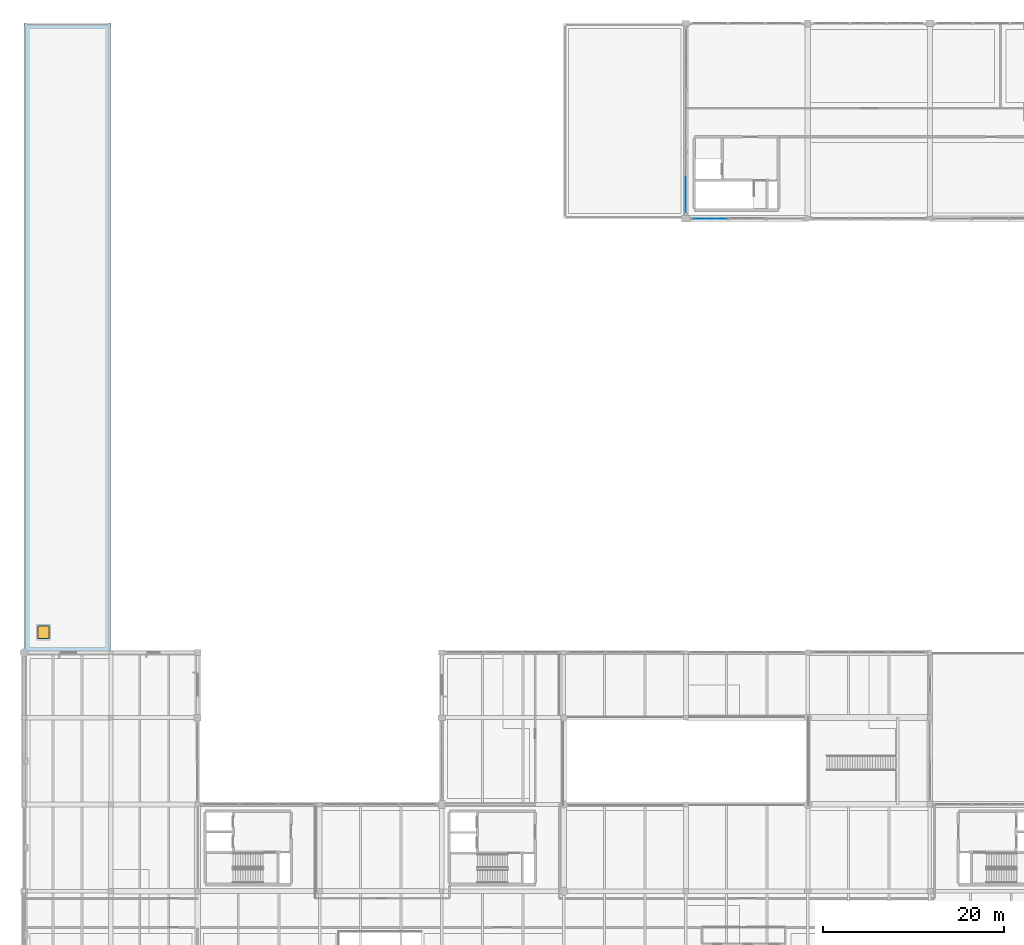
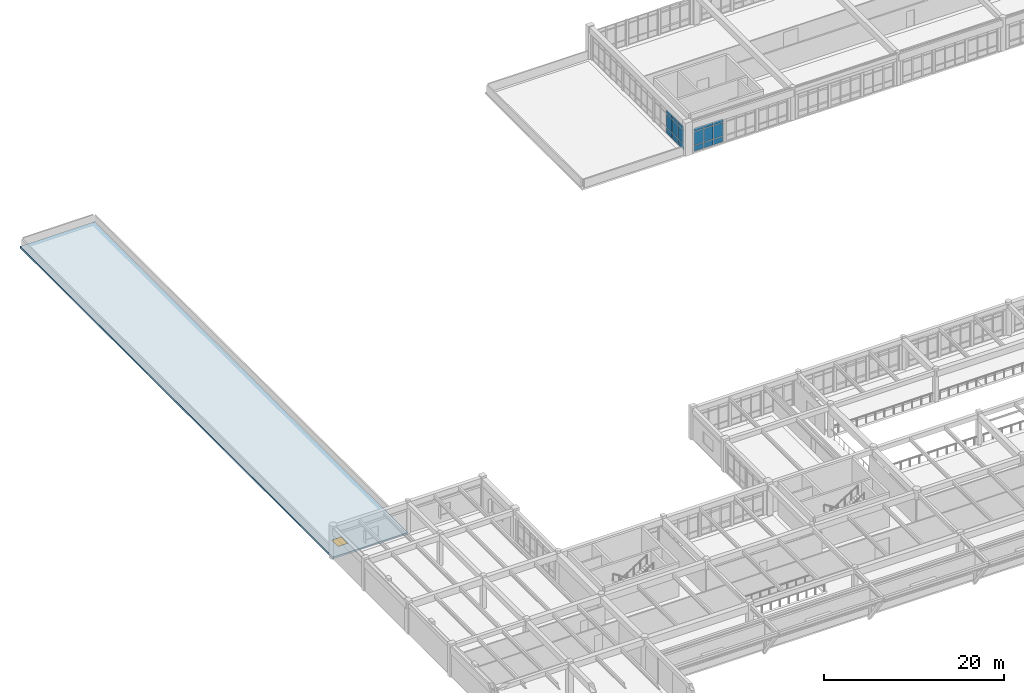
# One storey, part 75 of 109: 18 plates, 1 slab, 1 window, 1 opening, 2 elements without a shape of their own.
"""IFC4 building model written with IfcOpenShell, lengths in metres."""

from ifc_helpers import new_model, si_unit, direction, frame, origin, origin_2d, place, context, subcontext, project, spatial, polyline, rectangle, outline, extrude, material, layer, layer_set, type_object, element, fill, aggregate, save


model = new_model("IFC4")

# Units and contexts
model_context = context("Model", 3, precision=1e-05, world=origin(), true_north=direction((0.0, 1.0)))
body_context = subcontext(model_context, "Body", "Model", "MODEL_VIEW")
ifc_project = project(units=[si_unit("LENGTHUNIT", "METRE"), si_unit("AREAUNIT", "SQUARE_METRE"), si_unit("VOLUMEUNIT", "CUBIC_METRE"), si_unit("PLANEANGLEUNIT", "RADIAN"), si_unit("MASSUNIT", "GRAM", prefix="KILO")], contexts=[model_context])

# Site, building, storey
site_placement = place(None, origin())
site = spatial("IfcSite", under=ifc_project, at=site_placement, CompositionType="ELEMENT")
building_placement = place(site_placement, origin())
building = spatial("IfcBuilding", under=site, at=building_placement, Name="Fikremerkos Civic Library", CompositionType="ELEMENT")
storey_placement = place(building_placement, frame((0.0, 0.0, 5.39990234375)))
storey = spatial("IfcBuildingStorey", under=building, at=storey_placement, Name="L01", CompositionType="ELEMENT", Elevation=5.39990234375)

# Curtain wall, plates
ifc_material_1 = material(Name="Anodized aluminium Frame", Category="aluminium")
ifc_layer_1 = layer(ifc_material_1, 0.159912109375, Name="Anodized aluminium Frame")
ifc_layer_set_1 = layer_set([ifc_layer_1], Name="Anodized aluminium Frame")
curtain_wall_type_1 = type_object("IfcCurtainWallType", Name="Unitised curtain wall CW-01 3600x3600", PredefinedType="USERDEFINED", material=ifc_layer_set_1)
curtain_wall_1_placement = place(storey_placement, origin())
curtain_wall_1 = element("IfcCurtainWall", 1, at=curtain_wall_1_placement, inside=storey, type_object=curtain_wall_type_1, Name="Unitised curtain wall CW-01 L01 #127", ObjectType="UNITISED CURTAIN WALL", PredefinedType="USERDEFINED")
ifc_material_2 = material(Name="Solar control double glazing", Category="glass")
ifc_layer_2 = layer(ifc_material_2, 0.028076171875, Name="Solar control double glazing")
ifc_layer_set_2 = layer_set([ifc_layer_2], Name="Solar control double glazing")
plate_type_1 = type_object("IfcPlateType", Name="Curtain glazing panel CWP-01 28", PredefinedType="CURTAIN_PANEL", material=ifc_layer_set_2)
plate_1_placement = place(storey_placement, frame((77.163330078125, 96.0, 0.070068359375), z_axis=(0.0, 0.0, 1.0), x_axis=(-1.0, 0.0, 0.0)))
plate_1 = element("IfcPlate", 2, at=plate_1_placement, type_object=plate_type_1, Name="CW-01 panel 1.1", PredefinedType="CURTAIN_PANEL", context=body_context, shape_type="SweptSolid", body=[
    extrude(rectangle(XDim=1.175048828125, YDim=0.028076171875, at=origin_2d()), origin(), (0.0, 0.0, 1.0), 0.7451171875),
])
plate_2_placement = place(storey_placement, frame((77.163330078125, 96.0, 0.88525390625), z_axis=(0.0, 0.0, 1.0), x_axis=(-1.0, 0.0, 0.0)))
plate_2 = element("IfcPlate", 3, at=plate_2_placement, type_object=plate_type_1, Name="CW-01 panel 1.2", PredefinedType="CURTAIN_PANEL", context=body_context, shape_type="SweptSolid", body=[
    extrude(rectangle(XDim=1.175048828125, YDim=0.028076171875, at=origin_2d()), origin(), (0.0, 0.0, 1.0), 1.800048828125),
])
plate_3_placement = place(storey_placement, frame((77.163330078125, 96.0, 2.7548828125), z_axis=(0.0, 0.0, 1.0), x_axis=(-1.0, 0.0, 0.0)))
plate_3 = element("IfcPlate", 4, at=plate_3_placement, type_object=plate_type_1, Name="CW-01 panel 1.3", PredefinedType="CURTAIN_PANEL", context=body_context, shape_type="SweptSolid", body=[
    extrude(rectangle(XDim=1.175048828125, YDim=0.028076171875, at=origin_2d()), origin(), (0.0, 0.0, 1.0), 0.445068359375),
])
plate_4_placement = place(storey_placement, frame((75.906982421875, 96.0, 0.070068359375), z_axis=(0.0, 0.0, 1.0), x_axis=(-1.0, 0.0, 0.0)))
plate_4 = element("IfcPlate", 5, at=plate_4_placement, type_object=plate_type_1, Name="CW-01 panel 2.1", PredefinedType="CURTAIN_PANEL", context=body_context, shape_type="SweptSolid", body=[
    extrude(rectangle(XDim=1.207763671875, YDim=0.028076171875, at=origin_2d()), origin(), (0.0, 0.0, 1.0), 0.7451171875),
])
plate_5_placement = place(storey_placement, frame((75.906982421875, 96.0, 0.88525390625), z_axis=(0.0, 0.0, 1.0), x_axis=(-1.0, 0.0, 0.0)))
plate_5 = element("IfcPlate", 6, at=plate_5_placement, type_object=plate_type_1, Name="CW-01 panel 2.2", PredefinedType="CURTAIN_PANEL", context=body_context, shape_type="SweptSolid", body=[
    extrude(rectangle(XDim=1.207763671875, YDim=0.028076171875, at=origin_2d()), origin(), (0.0, 0.0, 1.0), 1.800048828125),
])
plate_6_placement = place(storey_placement, frame((75.906982421875, 96.0, 2.7548828125), z_axis=(0.0, 0.0, 1.0), x_axis=(-1.0, 0.0, 0.0)))
plate_6 = element("IfcPlate", 7, at=plate_6_placement, type_object=plate_type_1, Name="CW-01 panel 2.3", PredefinedType="CURTAIN_PANEL", context=body_context, shape_type="SweptSolid", body=[
    extrude(rectangle(XDim=1.207763671875, YDim=0.028076171875, at=origin_2d()), origin(), (0.0, 0.0, 1.0), 0.445068359375),
])
plate_7_placement = place(storey_placement, frame((74.650634765625, 96.0, 0.070068359375), z_axis=(0.0, 0.0, 1.0), x_axis=(-1.0, 0.0, 0.0)))
plate_7 = element("IfcPlate", 8, at=plate_7_placement, type_object=plate_type_1, Name="CW-01 panel 3.1", PredefinedType="CURTAIN_PANEL", context=body_context, shape_type="SweptSolid", body=[
    extrude(rectangle(XDim=1.175048828125, YDim=0.028076171875, at=origin_2d()), origin(), (0.0, 0.0, 1.0), 0.7451171875),
])
plate_8_placement = place(storey_placement, frame((74.650634765625, 96.0, 0.88525390625), z_axis=(0.0, 0.0, 1.0), x_axis=(-1.0, 0.0, 0.0)))
plate_8 = element("IfcPlate", 9, at=plate_8_placement, type_object=plate_type_1, Name="CW-01 panel 3.2", PredefinedType="CURTAIN_PANEL", context=body_context, shape_type="SweptSolid", body=[
    extrude(rectangle(XDim=1.175048828125, YDim=0.028076171875, at=origin_2d()), origin(), (0.0, 0.0, 1.0), 1.800048828125),
])
plate_9_placement = place(storey_placement, frame((74.650634765625, 96.0, 2.7548828125), z_axis=(0.0, 0.0, 1.0), x_axis=(-1.0, 0.0, 0.0)))
plate_9 = element("IfcPlate", 10, at=plate_9_placement, type_object=plate_type_1, Name="CW-01 panel 3.3", PredefinedType="CURTAIN_PANEL", context=body_context, shape_type="SweptSolid", body=[
    extrude(rectangle(XDim=1.175048828125, YDim=0.028076171875, at=origin_2d()), origin(), (0.0, 0.0, 1.0), 0.445068359375),
])
aggregate(curtain_wall_1, [plate_1, plate_2, plate_3, plate_4, plate_5, plate_6, plate_7, plate_8, plate_9])

ifc_layer_3 = layer(ifc_material_1, 0.159912109375, Name="Anodized aluminium Frame")
ifc_layer_set_3 = layer_set([ifc_layer_3], Name="Anodized aluminium Frame")
curtain_wall_type_2 = type_object("IfcCurtainWallType", Name="Unitised curtain wall CW-02 3900x3600", PredefinedType="USERDEFINED", material=ifc_layer_set_3)
curtain_wall_2_placement = place(storey_placement, origin())
curtain_wall_2 = element("IfcCurtainWall", 11, at=curtain_wall_2_placement, inside=storey, type_object=curtain_wall_type_2, Name="Unitised curtain wall CW-02 L01 #128", ObjectType="UNITISED CURTAIN WALL", PredefinedType="USERDEFINED")
ifc_layer_4 = layer(ifc_material_2, 0.035888671875, Name="Solar control double glazing")
ifc_layer_set_4 = layer_set([ifc_layer_4], Name="Solar control double glazing")
plate_type_2 = type_object("IfcPlateType", Name="Curtain glazing panel CWP-02 36", PredefinedType="CURTAIN_PANEL", material=ifc_layer_set_4)
plate_10_placement = place(storey_placement, frame((73.199951171875, 97.3681640625, 0.070068359375), z_axis=(0.0, 0.0, 1.0), x_axis=(0.0, 1.0, 0.0)))
plate_10 = element("IfcPlate", 12, at=plate_10_placement, type_object=plate_type_2, Name="CW-02 panel 1.1", PredefinedType="CURTAIN_PANEL", context=body_context, shape_type="SweptSolid", body=[
    extrude(rectangle(XDim=1.22021484375, YDim=0.035888671875, at=origin_2d()), origin(), (0.0, 0.0, 1.0), 0.7451171875),
])
plate_11_placement = place(storey_placement, frame((73.199951171875, 97.3681640625, 0.88525390625), z_axis=(0.0, 0.0, 1.0), x_axis=(0.0, 1.0, 0.0)))
plate_11 = element("IfcPlate", 13, at=plate_11_placement, type_object=plate_type_2, Name="CW-02 panel 1.2", PredefinedType="CURTAIN_PANEL", context=body_context, shape_type="SweptSolid", body=[
    extrude(rectangle(XDim=1.22021484375, YDim=0.035888671875, at=origin_2d()), origin(), (0.0, 0.0, 1.0), 1.800048828125),
])
plate_12_placement = place(storey_placement, frame((73.199951171875, 97.3681640625, 2.7548828125), z_axis=(0.0, 0.0, 1.0), x_axis=(0.0, 1.0, 0.0)))
plate_12 = element("IfcPlate", 14, at=plate_12_placement, type_object=plate_type_2, Name="CW-02 panel 1.3", PredefinedType="CURTAIN_PANEL", context=body_context, shape_type="SweptSolid", body=[
    extrude(rectangle(XDim=1.22021484375, YDim=0.035888671875, at=origin_2d()), origin(), (0.0, 0.0, 1.0), 0.445068359375),
])
plate_13_placement = place(storey_placement, frame((73.199951171875, 98.663330078125, 0.070068359375), z_axis=(0.0, 0.0, 1.0), x_axis=(0.0, 1.0, 0.0)))
plate_13 = element("IfcPlate", 15, at=plate_13_placement, type_object=plate_type_2, Name="CW-02 panel 2.1", PredefinedType="CURTAIN_PANEL", context=body_context, shape_type="SweptSolid", body=[
    extrude(rectangle(XDim=1.250244140625, YDim=0.035888671875, at=origin_2d()), origin(), (0.0, 0.0, 1.0), 0.7451171875),
])
plate_14_placement = place(storey_placement, frame((73.199951171875, 98.663330078125, 0.88525390625), z_axis=(0.0, 0.0, 1.0), x_axis=(0.0, 1.0, 0.0)))
plate_14 = element("IfcPlate", 16, at=plate_14_placement, type_object=plate_type_2, Name="CW-02 panel 2.2", PredefinedType="CURTAIN_PANEL", context=body_context, shape_type="SweptSolid", body=[
    extrude(rectangle(XDim=1.250244140625, YDim=0.035888671875, at=origin_2d()), origin(), (0.0, 0.0, 1.0), 1.800048828125),
])
plate_15_placement = place(storey_placement, frame((73.199951171875, 98.663330078125, 2.7548828125), z_axis=(0.0, 0.0, 1.0), x_axis=(0.0, 1.0, 0.0)))
plate_15 = element("IfcPlate", 17, at=plate_15_placement, type_object=plate_type_2, Name="CW-02 panel 2.3", PredefinedType="CURTAIN_PANEL", context=body_context, shape_type="SweptSolid", body=[
    extrude(rectangle(XDim=1.250244140625, YDim=0.035888671875, at=origin_2d()), origin(), (0.0, 0.0, 1.0), 0.445068359375),
])
plate_16_placement = place(storey_placement, frame((73.199951171875, 99.9736328125, 0.070068359375), z_axis=(0.0, 0.0, 1.0), x_axis=(0.0, 1.0, 0.0)))
plate_16 = element("IfcPlate", 18, at=plate_16_placement, type_object=plate_type_2, Name="CW-02 panel 3.1", PredefinedType="CURTAIN_PANEL", context=body_context, shape_type="SweptSolid", body=[
    extrude(rectangle(XDim=1.250244140625, YDim=0.035888671875, at=origin_2d()), origin(), (0.0, 0.0, 1.0), 0.7451171875),
])
plate_17_placement = place(storey_placement, frame((73.199951171875, 99.9736328125, 0.88525390625), z_axis=(0.0, 0.0, 1.0), x_axis=(0.0, 1.0, 0.0)))
plate_17 = element("IfcPlate", 19, at=plate_17_placement, type_object=plate_type_2, Name="CW-02 panel 3.2", PredefinedType="CURTAIN_PANEL", context=body_context, shape_type="SweptSolid", body=[
    extrude(rectangle(XDim=1.250244140625, YDim=0.035888671875, at=origin_2d()), origin(), (0.0, 0.0, 1.0), 1.800048828125),
])
plate_18_placement = place(storey_placement, frame((73.199951171875, 99.9736328125, 2.7548828125), z_axis=(0.0, 0.0, 1.0), x_axis=(0.0, 1.0, 0.0)))
plate_18 = element("IfcPlate", 20, at=plate_18_placement, type_object=plate_type_2, Name="CW-02 panel 3.3", PredefinedType="CURTAIN_PANEL", context=body_context, shape_type="SweptSolid", body=[
    extrude(rectangle(XDim=1.250244140625, YDim=0.035888671875, at=origin_2d()), origin(), (0.0, 0.0, 1.0), 0.445068359375),
])
aggregate(curtain_wall_2, [plate_10, plate_11, plate_12, plate_13, plate_14, plate_15, plate_16, plate_17, plate_18])

# Slab, opening, window
ifc_material_3 = material(Name="Concrete C40/50", Category="concrete")
ifc_layer_5 = layer(ifc_material_3, 0.239990234375, Name="Concrete C40/50")
ifc_layer_set_5 = layer_set([ifc_layer_5], Name="Concrete C40/50")
slab_type = type_object("IfcSlabType", Name="Wing roof slab WRS-03 240", PredefinedType="ROOF", material=ifc_layer_set_5)
slab_placement = place(storey_placement, frame((0.0, 0.0, -0.239990234375)))
slab = element("IfcSlab", 21, at=slab_placement, inside=storey, type_object=slab_type, Name="Wing roof slab WRS-03 RF-L01-V5N", PredefinedType="ROOF", context=body_context, shape_type="SweptSolid", body=[
    extrude(outline(polyline([(0.0, 48.0), (9.60009765625, 48.0), (9.60009765625, 117.60009765625), (0.0, 117.60009765625), (0.0, 48.0)])), origin(), (0.0, 0.0, 1.0), 0.239990234375),
])
opening_placement = place(slab_placement, frame((2.14990234375, 50.25, 0.0)))
opening = element("IfcOpeningElement", 22, at=opening_placement, cuts=slab, Name="Opening SKY-04", PredefinedType="OPENING", context=body_context, shape_type="SweptSolid", body=[
    extrude(rectangle(XDim=1.199951171875, YDim=1.39990234375, at=origin_2d()), frame((0.0, 0.0, -0.010009765625), z_axis=(0.0, 0.0, 1.0), x_axis=(1.0, 0.0, 0.0)), (0.0, 0.0, 1.0), 0.260009765625),
])
ifc_material_4 = material(Name="Laminated solar control skylight glazing", Category="glass")
window_type = type_object("IfcWindowType", Name="Roof skylight SKY-04 1200x1400", PartitioningType="SINGLE_PANEL", PredefinedType="SKYLIGHT", material=ifc_material_4)
window_placement = place(opening_placement, frame((0.0, 0.0, 0.175048828125)))
window = element("IfcWindow", 23, at=window_placement, inside=storey, type_object=window_type, Name="Maintenance roof access skylight hatch SKY-04 RF-L01-V5N", OverallHeight=1.39990234375, OverallWidth=1.199951171875, PartitioningType="SINGLE_PANEL", PredefinedType="SKYLIGHT", context=body_context, shape_type="SweptSolid", body=[
    extrude(rectangle(XDim=1.199951171875, YDim=1.39990234375, at=origin_2d()), origin(), (0.0, 0.0, 1.0), 0.06494140625),
])
fill(opening, window)

save(model, "model.ifc")
